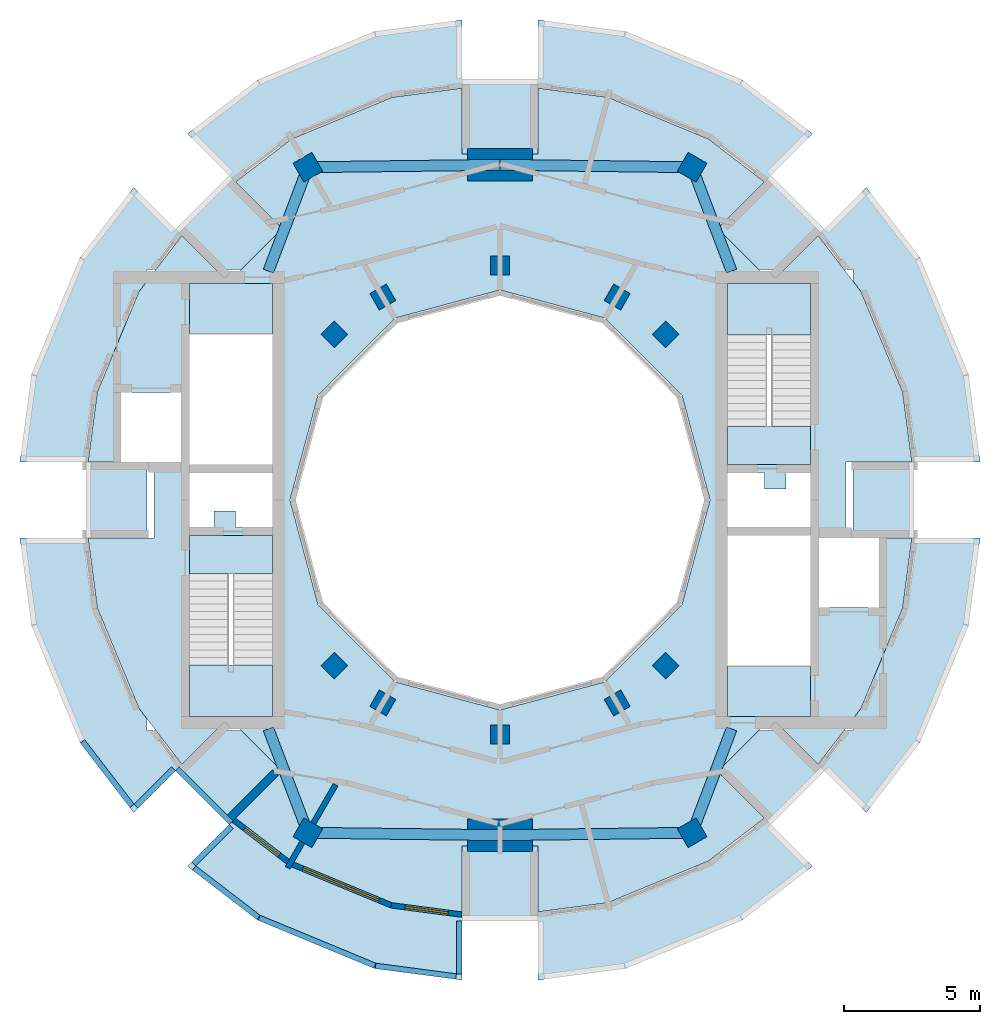
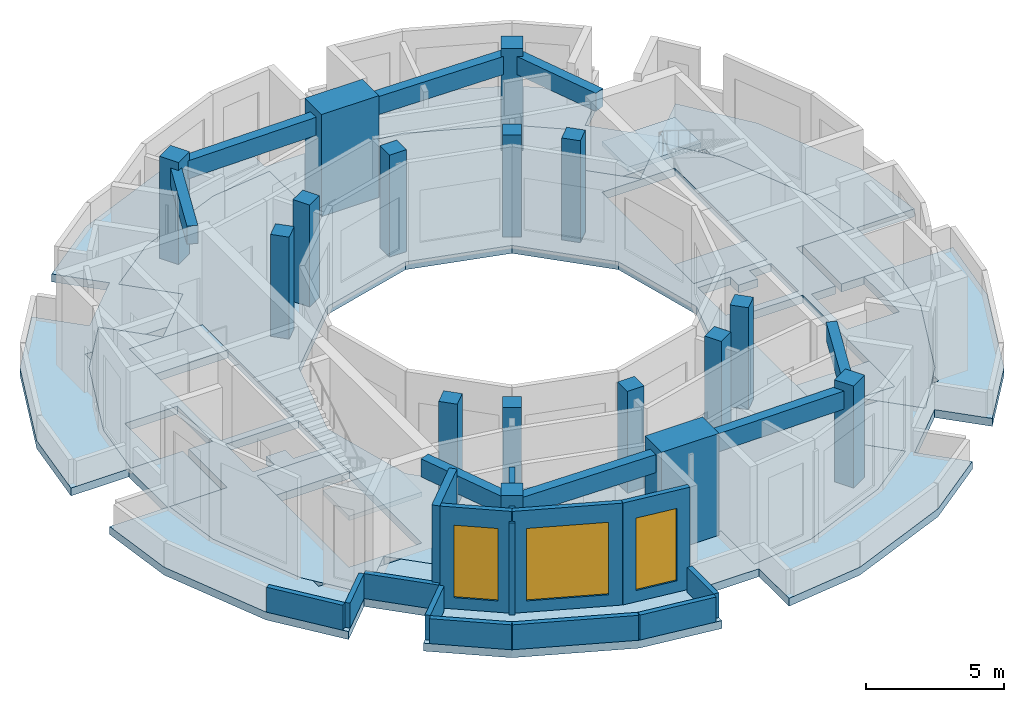
# One storey, part 1 of 7: 16 columns, 13 walls, 8 beams, 8 slabs, 3 windows, 3 openings, 2 elements without a shape of their own.
"""IFC4 building model written with IfcOpenShell, lengths in metres."""

from ifc_helpers import new_model, si_unit, direction, frame, frame_2d, origin, origin_2d, place, context, subcontext, project, spatial, polyline, rectangle, outline, extrude, material, layer, layer_set, material_profile, profile_set, type_object, element, fill, aggregate, save


model = new_model("IFC4")

# Units and contexts
model_context = context("Model", 3, precision=1e-05, world=origin(), true_north=direction((0.0, 1.0)))
body_context = subcontext(model_context, "Body", "Model", "MODEL_VIEW")
ifc_project = project(units=[si_unit("LENGTHUNIT", "METRE"), si_unit("AREAUNIT", "SQUARE_METRE"), si_unit("VOLUMEUNIT", "CUBIC_METRE"), si_unit("PLANEANGLEUNIT", "RADIAN"), si_unit("MASSUNIT", "GRAM", prefix="KILO")], contexts=[model_context])

# Site, building, storey
site_placement = place(None, origin())
site = spatial("IfcSite", under=ifc_project, at=site_placement, CompositionType="ELEMENT")
building_placement = place(site_placement, origin())
building = spatial("IfcBuilding", under=site, at=building_placement, Name="Torre Brocal", CompositionType="ELEMENT")
storey_placement = place(building_placement, frame((0.0, 0.0, 333.10009765625)))
storey = spatial("IfcBuildingStorey", under=building, at=storey_placement, Name="L76", CompositionType="ELEMENT", Elevation=333.10009765625)

# Columns
ifc_material_1 = material(Name="Concrete C50", Category="concrete")
ifc_material_profile_1 = material_profile(ifc_material_1, rectangle(XDim=1.199951171875, YDim=2.39990234375, at=origin_2d()), Name="RC 1200X2400")
ifc_profile_set_1 = profile_set([ifc_material_profile_1], Name="Concrete C50")
column_type_1 = type_object("IfcColumnType", Name="RC COLUMN 1200X2400 C50", PredefinedType="COLUMN", material=ifc_profile_set_1)
for number, where, z_axis, x_axis, name in (
    (1, (80.0, 87.300048828125, 0.0), (0.0, 0.0, 1.0), (0.0, 1.0, 0.0), "Column MCE-2"),
    (2, (80.0, 62.699951171875, 0.0), (0.0, 0.0, 1.0), (0.0, -1.0, 0.0), "Column MCE-6"),
):
    element("IfcColumn", number, at=place(storey_placement, frame(where, z_axis=z_axis, x_axis=x_axis)), inside=storey, type_object=column_type_1, Name=name, PredefinedType="COLUMN", context=body_context, shape_type="SweptSolid", body=[
        extrude(rectangle(XDim=1.199951171875, YDim=2.39990234375, at=origin_2d()), origin(), (0.0, 0.0, 1.0), 4.5),
    ])
ifc_material_2 = material(Name="Concrete C50", Category="concrete")
ifc_material_profile_2 = material_profile(ifc_material_2, rectangle(XDim=0.699951171875, YDim=0.699951171875, at=origin_2d()), Name="RC 700X700")
ifc_profile_set_2 = profile_set([ifc_material_profile_2], Name="Concrete C50")
column_type_2 = type_object("IfcColumnType", Name="RC COLUMN 700X700 C50", PredefinedType="COLUMN", material=ifc_profile_set_2)
for number, where, z_axis, x_axis, name in (
    (3, (86.0810546875, 81.0810546875, 0.0), (0.0, 0.0, 1.0), (0.707106781187, 0.707106781187, 0.0), "Column C-I03"),
    (4, (84.300048828125, 82.44775390625, 0.0), (0.0, 0.0, 1.0), (0.5, 0.866025403784, 0.0), "Column C-I04"),
    (5, (80.0, 83.60009765625, 0.0), (0.0, 0.0, 1.0), (0.0, 1.0, 0.0), "Column C-I06"),
    (6, (75.699951171875, 82.44775390625, 0.0), (0.0, 0.0, 1.0), (-0.5, 0.866025403784, 0.0), "Column C-I08"),
    (7, (73.9189453125, 81.0810546875, 0.0), (0.0, 0.0, 1.0), (-0.707106781187, 0.707106781187, 0.0), "Column C-I09"),
    (8, (73.9189453125, 68.9189453125, 0.0), (0.0, 0.0, 1.0), (-0.707106781187, -0.707106781187, 0.0), "Column C-I15"),
    (9, (75.699951171875, 67.55224609375, 0.0), (0.0, 0.0, 1.0), (-0.5, -0.866025403784, 0.0), "Column C-I16"),
    (10, (80.0, 66.39990234375, 0.0), (0.0, 0.0, 1.0), (0.0, -1.0, 0.0), "Column C-I18"),
    (11, (84.300048828125, 67.55224609375, 0.0), (0.0, 0.0, 1.0), (0.5, -0.866025403784, 0.0), "Column C-I20"),
    (12, (86.0810546875, 68.9189453125, 0.0), (0.0, 0.0, 1.0), (0.707106781187, -0.707106781187, 0.0), "Column C-I21"),
):
    element("IfcColumn", number, at=place(storey_placement, frame(where, z_axis=z_axis, x_axis=x_axis)), inside=storey, type_object=column_type_2, Name=name, PredefinedType="COLUMN", context=body_context, shape_type="SweptSolid", body=[
        extrude(rectangle(XDim=0.699951171875, YDim=0.699951171875, at=origin_2d()), origin(), (0.0, 0.0, 1.0), 4.5),
    ])
ifc_material_3 = material(Name="Concrete C50", Category="concrete")
ifc_material_profile_3 = material_profile(ifc_material_3, rectangle(XDim=0.800048828125, YDim=0.800048828125, at=origin_2d()), Name="RC 800X800")
ifc_profile_set_3 = profile_set([ifc_material_profile_3], Name="Concrete C50")
column_type_3 = type_object("IfcColumnType", Name="RC COLUMN 800X800 C50", PredefinedType="COLUMN", material=ifc_profile_set_3)
for number, where, z_axis, x_axis, name in (
    (13, (87.050048828125, 87.2109375, 0.0), (0.0, 0.0, 1.0), (0.5, 0.866025403784, 0.0), "Column C-OD04"),
    (14, (72.949951171875, 87.2109375, 0.0), (0.0, 0.0, 1.0), (-0.5, 0.866025403784, 0.0), "Column C-OD08"),
    (15, (72.949951171875, 62.7890625, 0.0), (0.0, 0.0, 1.0), (-0.5, -0.866025403784, 0.0), "Column C-OD16"),
    (16, (87.050048828125, 62.7890625, 0.0), (0.0, 0.0, 1.0), (0.5, -0.866025403784, 0.0), "Column C-OD20"),
):
    element("IfcColumn", number, at=place(storey_placement, frame(where, z_axis=z_axis, x_axis=x_axis)), inside=storey, type_object=column_type_3, Name=name, PredefinedType="COLUMN", context=body_context, shape_type="SweptSolid", body=[
        extrude(rectangle(XDim=0.800048828125, YDim=0.800048828125, at=origin_2d()), origin(), (0.0, 0.0, 1.0), 4.5),
    ])

# Beams
ifc_material_4 = material(Name="Concrete C50", Category="concrete")
ifc_material_profile_4 = material_profile(ifc_material_4, rectangle(XDim=0.39990234375, YDim=0.800048828125, at=origin_2d()), Name="RC 400X800")
ifc_profile_set_4 = profile_set([ifc_material_profile_4], Name="Concrete C50")
beam_type = type_object("IfcBeamType", Name="RC SPANDREL BEAM 400X800 C50 TOP 4150", PredefinedType="SPANDREL", material=ifc_profile_set_4)
for number, where, z_axis, x_axis, name in (
    (17, (87.050048828125, 87.2109375, 3.75), (-0.999920127082, 0.012638807576, 0.0), (-0.012638807576, -0.999920127082, 0.0), "Beam BT-53"),
    (18, (80.0, 87.300048828125, 3.75), (-0.999920127082, -0.012638807576, 0.0), (0.012638807576, -0.999920127082, 0.0), "Beam BT-53"),
):
    element("IfcBeam", number, at=place(storey_placement, frame(where, z_axis=z_axis, x_axis=x_axis)), inside=storey, type_object=beam_type, Name=name, PredefinedType="SPANDREL", context=body_context, shape_type="SweptSolid", body=[
        extrude(rectangle(XDim=0.39990234375, YDim=0.800048828125, at=origin_2d()), origin(), (0.0, 0.0, 1.0), 7.050537109375),
    ])
for number, where, z_axis, x_axis, name in (
    (19, (72.949951171875, 87.2109375, 3.75), (-0.355594432348, -0.934640358471, 0.0), (0.934640358471, -0.355594432348, 0.0), "Beam BT-53"),
    (20, (72.949951171875, 62.7890625, 3.75), (-0.355594432348, 0.934640358471, 0.0), (-0.934640358471, -0.355594432348, 0.0), "Beam BT-53"),
):
    element("IfcBeam", number, at=place(storey_placement, frame(where, z_axis=z_axis, x_axis=x_axis)), inside=storey, type_object=beam_type, Name=name, PredefinedType="SPANDREL", context=body_context, shape_type="SweptSolid", body=[
        extrude(rectangle(XDim=0.39990234375, YDim=0.800048828125, at=origin_2d()), origin(), (0.0, 0.0, 1.0), 4.07763671875),
    ])
for number, where, z_axis, x_axis, name in (
    (21, (72.949951171875, 62.7890625, 3.75), (0.999920127082, -0.012638807576, 0.0), (0.012638807576, 0.999920127082, 0.0), "Beam BT-53"),
    (22, (80.0, 62.699951171875, 3.75), (0.999920127082, 0.012638807576, 0.0), (-0.012638807576, 0.999920127082, 0.0), "Beam BT-53"),
):
    element("IfcBeam", number, at=place(storey_placement, frame(where, z_axis=z_axis, x_axis=x_axis)), inside=storey, type_object=beam_type, Name=name, PredefinedType="SPANDREL", context=body_context, shape_type="SweptSolid", body=[
        extrude(rectangle(XDim=0.39990234375, YDim=0.800048828125, at=origin_2d()), origin(), (0.0, 0.0, 1.0), 7.050537109375),
    ])
for number, where, z_axis, x_axis, name in (
    (23, (87.050048828125, 62.7890625, 3.75), (0.355594432348, 0.934640358471, 0.0), (-0.934640358471, 0.355594432348, 0.0), "Beam BT-53"),
    (24, (87.050048828125, 87.2109375, 3.75), (0.355594432348, -0.934640358471, 0.0), (0.934640358471, 0.355594432348, 0.0), "Beam BT-53"),
):
    element("IfcBeam", number, at=place(storey_placement, frame(where, z_axis=z_axis, x_axis=x_axis)), inside=storey, type_object=beam_type, Name=name, PredefinedType="SPANDREL", context=body_context, shape_type="SweptSolid", body=[
        extrude(rectangle(XDim=0.39990234375, YDim=0.800048828125, at=origin_2d()), origin(), (0.0, 0.0, 1.0), 4.07763671875),
    ])

# Stair, slab
ifc_material_5 = material(Name="Concrete C50", Category="concrete")
stair_type = type_object("IfcStairType", Name="EXIT STAIR", PredefinedType="HALF_TURN_STAIR", material=ifc_material_5)
stair_1_placement = place(storey_placement, origin())
stair_1 = element("IfcStair", 25, at=stair_1_placement, inside=storey, type_object=stair_type, Name="EXIT STAIR ST1", PredefinedType="HALF_TURN_STAIR")
ifc_material_6 = material(Name="Concrete C50", Category="concrete")
ifc_layer_1 = layer(ifc_material_6, 0.35009765625)
ifc_layer_set_1 = layer_set([ifc_layer_1], Name="Concrete C50")
slab_type_1 = type_object("IfcSlabType", Name="FLOOR LANDING 350", PredefinedType="LANDING", material=ifc_layer_set_1)
slab_1_placement = place(storey_placement, frame((0.0, 0.0, -0.35009765625)))
slab_1 = element("IfcSlab", 26, at=slab_1_placement, type_object=slab_type_1, Name="ST1 landing 1", PredefinedType="LANDING", context=body_context, shape_type="SweptSolid", body=[
    extrude(outline(polyline([(88.35009765625, 76.300048828125), (91.39990234375, 76.300048828125), (91.39990234375, 77.699951171875), (88.35009765625, 77.699951171875), (88.35009765625, 76.300048828125)])), origin(), (0.0, 0.0, 1.0), 0.35009765625),
])

# Slab
slab_2_placement = place(storey_placement, frame((0.0, 0.0, -0.35009765625)))
element("IfcSlab", 27, at=slab_2_placement, inside=storey, type_object=slab_type_1, Name="Slab ST2.L1", PredefinedType="LANDING", context=body_context, shape_type="SweptSolid", body=[
    extrude(outline(polyline([(88.35009765625, 67.050048828125), (91.39990234375, 67.050048828125), (91.39990234375, 68.89990234375), (88.35009765625, 68.89990234375), (88.35009765625, 67.050048828125)])), origin(), (0.0, 0.0, 1.0), 0.35009765625),
])

# Stair, slab
stair_2_placement = place(storey_placement, origin())
stair_2 = element("IfcStair", 28, at=stair_2_placement, inside=storey, type_object=stair_type, Name="EXIT STAIR ST3", PredefinedType="HALF_TURN_STAIR")
slab_3_placement = place(storey_placement, frame((0.0, 0.0, -0.35009765625)))
slab_3 = element("IfcSlab", 29, at=slab_3_placement, type_object=slab_type_1, Name="ST3 landing 1", PredefinedType="LANDING", context=body_context, shape_type="SweptSolid", body=[
    extrude(outline(polyline([(71.64990234375, 73.699951171875), (68.60009765625, 73.699951171875), (68.60009765625, 72.300048828125), (71.64990234375, 72.300048828125), (71.64990234375, 73.699951171875)])), origin(), (0.0, 0.0, 1.0), 0.35009765625),
])

# Slab
slab_4_placement = place(storey_placement, frame((0.0, 0.0, -0.35009765625)))
element("IfcSlab", 30, at=slab_4_placement, inside=storey, type_object=slab_type_1, Name="Slab ST4.L1", PredefinedType="LANDING", context=body_context, shape_type="SweptSolid", body=[
    extrude(outline(polyline([(71.64990234375, 82.949951171875), (68.60009765625, 82.949951171875), (68.60009765625, 81.10009765625), (71.64990234375, 81.10009765625), (71.64990234375, 82.949951171875)])), origin(), (0.0, 0.0, 1.0), 0.35009765625),
])

ifc_material_7 = material(Name="Concrete C50", Category="concrete")
ifc_layer_2 = layer(ifc_material_7, 0.199951171875)
ifc_layer_set_2 = layer_set([ifc_layer_2], Name="Concrete C50")
slab_type_2 = type_object("IfcSlabType", Name="MID LANDING +2250", PredefinedType="LANDING", material=ifc_layer_set_2)
slab_5_placement = place(storey_placement, frame((0.0, 0.0, 2.0498046875)))
slab_5 = element("IfcSlab", 31, at=slab_5_placement, type_object=slab_type_2, Name="ST1 landing 2", PredefinedType="LANDING", context=body_context, shape_type="SweptSolid", body=[
    extrude(outline(polyline([(88.35009765625, 81.06005859375), (91.39990234375, 81.06005859375), (91.39990234375, 82.949951171875), (88.35009765625, 82.949951171875), (88.35009765625, 81.06005859375)])), origin(), (0.0, 0.0, 1.0), 0.2001953125),
])

aggregate(stair_1, [slab_1, slab_5])

slab_6_placement = place(storey_placement, frame((0.0, 0.0, 2.0498046875)))
slab_6 = element("IfcSlab", 32, at=slab_6_placement, type_object=slab_type_2, Name="ST3 landing 2", PredefinedType="LANDING", context=body_context, shape_type="SweptSolid", body=[
    extrude(outline(polyline([(71.64990234375, 68.93994140625), (68.60009765625, 68.93994140625), (68.60009765625, 67.050048828125), (71.64990234375, 67.050048828125), (71.64990234375, 68.93994140625)])), origin(), (0.0, 0.0, 1.0), 0.2001953125),
])

aggregate(stair_2, [slab_3, slab_6])

# Slabs
ifc_material_8 = material(Name="Concrete C45", Category="concrete")
ifc_layer_3 = layer(ifc_material_8, 0.35009765625)
ifc_layer_set_3 = layer_set([ifc_layer_3], Name="Concrete C45")
slab_type_3 = type_object("IfcSlabType", Name="PT FLOOR SLAB 350 C45", PredefinedType="FLOOR", material=ifc_layer_set_3)
slab_7_placement = place(storey_placement, frame((0.0, 0.0, -0.35009765625)))
element("IfcSlab", 33, at=slab_7_placement, inside=storey, type_object=slab_type_3, Name="Slab ST-11", PredefinedType="FLOOR", context=body_context, shape_type="SweptSolid", body=[
    extrude(outline(polyline([(92.699951171875, 76.39990234375), (92.699951171875, 73.60009765625), (91.699951171875, 73.60009765625), (91.699951171875, 71.050048828125), (93.89990234375, 71.050048828125), (93.89990234375, 73.60009765625), (95.114013671875, 73.60009765625), (94.777099609375, 71.04052734375), (93.248779296875, 67.350830078125), (91.67724609375, 65.302734375), (89.97021484375, 67.009765625), (87.990234375, 65.02978515625), (89.697265625, 63.32275390625), (87.649169921875, 61.751220703125), (83.95947265625, 60.222900390625), (81.39990234375, 59.885986328125), (81.39990234375, 62.300048828125), (78.60009765625, 62.300048828125), (78.60009765625, 59.885986328125), (76.04052734375, 60.222900390625), (72.350830078125, 61.751220703125), (70.302734375, 63.32275390625), (72.009765625, 65.02978515625), (70.02978515625, 67.009765625), (68.32275390625, 65.302734375), (66.751220703125, 67.350830078125), (65.222900390625, 71.04052734375), (64.885986328125, 73.60009765625), (67.300048828125, 73.60009765625), (67.300048828125, 76.39990234375), (68.300048828125, 76.39990234375), (68.300048828125, 78.949951171875), (66.10009765625, 78.949951171875), (66.10009765625, 76.39990234375), (64.885986328125, 76.39990234375), (65.222900390625, 78.95947265625), (66.751220703125, 82.649169921875), (68.32275390625, 84.697265625), (70.02978515625, 82.990234375), (72.009765625, 84.97021484375), (70.302734375, 86.67724609375), (72.350830078125, 88.248779296875), (76.04052734375, 89.777099609375), (78.60009765625, 90.114013671875), (78.60009765625, 87.699951171875), (81.39990234375, 87.699951171875), (81.39990234375, 90.114013671875), (83.95947265625, 89.777099609375), (87.649169921875, 88.248779296875), (89.697265625, 86.67724609375), (87.990234375, 84.97021484375), (89.97021484375, 82.990234375), (91.67724609375, 84.697265625), (93.248779296875, 82.649169921875), (94.777099609375, 78.95947265625), (95.114013671875, 76.39990234375), (92.699951171875, 76.39990234375)]), holes=[polyline([(88.35009765625, 76.0), (88.35009765625, 74.0), (91.39990234375, 74.0), (91.39990234375, 76.0), (90.5, 76.0), (90.5, 75.39990234375), (89.699951171875, 75.39990234375), (89.699951171875, 76.0), (88.35009765625, 76.0)]), polyline([(88.35009765625, 73.699951171875), (88.35009765625, 67.050048828125), (91.39990234375, 67.050048828125), (91.39990234375, 73.699951171875), (88.35009765625, 73.699951171875)]), polyline([(88.35009765625, 82.949951171875), (88.35009765625, 76.300048828125), (91.39990234375, 76.300048828125), (91.39990234375, 82.949951171875), (88.35009765625, 82.949951171875)]), polyline([(80.0, 82.70703125), (76.146484375, 81.674560546875), (73.325439453125, 78.853515625), (72.29296875, 75.0), (73.325439453125, 71.146484375), (76.146484375, 68.325439453125), (80.0, 67.29296875), (83.853515625, 68.325439453125), (86.674560546875, 71.146484375), (87.70703125, 75.0), (86.674560546875, 78.853515625), (83.853515625, 81.674560546875), (80.0, 82.70703125)]), polyline([(71.64990234375, 67.050048828125), (71.64990234375, 73.699951171875), (68.60009765625, 73.699951171875), (68.60009765625, 67.050048828125), (71.64990234375, 67.050048828125)]), polyline([(71.64990234375, 76.300048828125), (71.64990234375, 82.949951171875), (68.60009765625, 82.949951171875), (68.60009765625, 76.300048828125), (71.64990234375, 76.300048828125)]), polyline([(71.64990234375, 74.0), (71.64990234375, 76.0), (68.60009765625, 76.0), (68.60009765625, 74.0), (69.5, 74.0), (69.5, 74.60009765625), (70.300048828125, 74.60009765625), (70.300048828125, 74.0), (71.64990234375, 74.0)])]), origin(), (0.0, 0.0, 1.0), 0.35009765625),
])
ifc_material_9 = material(Name="Concrete C45", Category="concrete")
ifc_layer_4 = layer(ifc_material_9, 0.35009765625)
ifc_layer_set_4 = layer_set([ifc_layer_4], Name="Concrete C45")
slab_type_4 = type_object("IfcSlabType", Name="PT TERRACE SLAB 350 C45", PredefinedType="ROOF", material=ifc_layer_set_4)
slab_8_placement = place(storey_placement, frame((0.0, 0.0, -0.35009765625)))
element("IfcSlab", 34, at=slab_8_placement, inside=storey, type_object=slab_type_4, Name="Slab ST-13", PredefinedType="ROOF", context=body_context, shape_type="SweptSolid", body=[
    extrude(outline(polyline([(95.199951171875, 76.39990234375), (95.199951171875, 73.60009765625), (97.614013671875, 73.60009765625), (97.19189453125, 70.3935546875), (95.413818359375, 66.100830078125), (93.44482421875, 63.534912109375), (91.914794921875, 65.065185546875), (89.934814453125, 63.085205078125), (91.465087890625, 61.55517578125), (88.899169921875, 59.586181640625), (84.6064453125, 57.80810546875), (81.39990234375, 57.385986328125), (81.39990234375, 59.550048828125), (78.60009765625, 59.550048828125), (78.60009765625, 57.385986328125), (75.3935546875, 57.80810546875), (71.100830078125, 59.586181640625), (68.534912109375, 61.55517578125), (70.065185546875, 63.085205078125), (68.085205078125, 65.065185546875), (66.55517578125, 63.534912109375), (64.586181640625, 66.100830078125), (62.80810546875, 70.3935546875), (62.385986328125, 73.60009765625), (64.800048828125, 73.60009765625), (64.800048828125, 76.39990234375), (62.385986328125, 76.39990234375), (62.80810546875, 79.6064453125), (64.586181640625, 83.899169921875), (66.55517578125, 86.465087890625), (68.085205078125, 84.934814453125), (70.065185546875, 86.914794921875), (68.534912109375, 88.44482421875), (71.100830078125, 90.413818359375), (75.3935546875, 92.19189453125), (78.60009765625, 92.614013671875), (78.60009765625, 90.449951171875), (81.39990234375, 90.449951171875), (81.39990234375, 92.614013671875), (84.6064453125, 92.19189453125), (88.899169921875, 90.413818359375), (91.465087890625, 88.44482421875), (89.934814453125, 86.914794921875), (91.914794921875, 84.934814453125), (93.44482421875, 86.465087890625), (95.413818359375, 83.899169921875), (97.19189453125, 79.6064453125), (97.614013671875, 76.39990234375), (95.199951171875, 76.39990234375)]), holes=[polyline([(89.510498046875, 83.449951171875), (87.990234375, 84.97021484375), (89.697265625, 86.67724609375), (87.649169921875, 88.248779296875), (83.95947265625, 89.777099609375), (81.39990234375, 90.114013671875), (81.39990234375, 87.699951171875), (78.60009765625, 87.699951171875), (78.60009765625, 90.114013671875), (76.04052734375, 89.777099609375), (72.350830078125, 88.248779296875), (70.302734375, 86.67724609375), (72.009765625, 84.97021484375), (70.489501953125, 83.449951171875), (69.570068359375, 83.449951171875), (68.32275390625, 84.697265625), (67.36572265625, 83.449951171875), (67.050048828125, 83.449951171875), (67.050048828125, 83.038330078125), (66.751220703125, 82.649169921875), (65.222900390625, 78.95947265625), (64.885986328125, 76.39990234375), (67.050048828125, 76.39990234375), (67.050048828125, 73.60009765625), (64.885986328125, 73.60009765625), (65.222900390625, 71.04052734375), (66.751220703125, 67.350830078125), (67.050048828125, 66.961669921875), (67.050048828125, 66.550048828125), (67.36572265625, 66.550048828125), (68.32275390625, 65.302734375), (69.570068359375, 66.550048828125), (70.489501953125, 66.550048828125), (72.009765625, 65.02978515625), (70.302734375, 63.32275390625), (72.350830078125, 61.751220703125), (76.04052734375, 60.222900390625), (78.60009765625, 59.885986328125), (78.60009765625, 62.300048828125), (81.39990234375, 62.300048828125), (81.39990234375, 59.885986328125), (83.95947265625, 60.222900390625), (87.649169921875, 61.751220703125), (89.697265625, 63.32275390625), (87.990234375, 65.02978515625), (89.510498046875, 66.550048828125), (90.429931640625, 66.550048828125), (91.67724609375, 65.302734375), (92.63427734375, 66.550048828125), (92.949951171875, 66.550048828125), (92.949951171875, 66.961669921875), (93.248779296875, 67.350830078125), (94.777099609375, 71.04052734375), (95.114013671875, 73.60009765625), (92.949951171875, 73.60009765625), (92.949951171875, 76.39990234375), (95.114013671875, 76.39990234375), (94.777099609375, 78.95947265625), (93.248779296875, 82.649169921875), (92.949951171875, 83.038330078125), (92.949951171875, 83.449951171875), (92.63427734375, 83.449951171875), (91.67724609375, 84.697265625), (90.429931640625, 83.449951171875), (89.510498046875, 83.449951171875)])]), origin(), (0.0, 0.0, 1.0), 0.35009765625),
])

# Wall, opening, window
ifc_material_10 = material(Name="Concrete C40", Category="concrete")
ifc_layer_5 = layer(ifc_material_10, 0.199951171875)
ifc_layer_set_5 = layer_set([ifc_layer_5], Name="Concrete C40")
wall_type_1 = type_object("IfcWallType", Name="LOUVRED PLANT WALL 200", PredefinedType="NOTDEFINED", material=ifc_layer_set_5)
wall_1_placement = place(storey_placement, frame((70.2314453125, 63.25146484375, 0.0), z_axis=(0.0, 0.0, 1.0), x_axis=(0.793402901715, -0.608696833859, 0.0)))
wall_1 = element("IfcWall", 35, at=wall_1_placement, inside=storey, type_object=wall_type_1, Name="LOUVRED PLANT WALL", PredefinedType="NOTDEFINED", context=body_context, shape_type="SweptSolid", body=[
    extrude(rectangle(XDim=2.60791015625, YDim=0.199951171875, at=frame_2d((1.303955078125, 0.0))), origin(), (0.0, 0.0, 1.0), 4.5),
])
opening_1_placement = place(wall_1_placement, frame((0.50390625, 0.0, 0.5)))
opening_1 = element("IfcOpeningElement", 36, at=opening_1_placement, cuts=wall_1, Name="Opening LV-1600-3200", PredefinedType="OPENING", context=body_context, shape_type="SweptSolid", body=[
    extrude(rectangle(XDim=1.60009765625, YDim=3.199951171875, at=frame_2d((0.800048828125, 1.60009765625))), frame((0.0, 0.10986328125, 0.0), z_axis=(0.0, -1.0, 0.0), x_axis=(1.0, 0.0, 0.0)), (0.0, 0.0, 1.0), 0.219970703125),
])
ifc_material_11 = material(Name="Aluminium louvre", Category="aluminium")
window_type_1 = type_object("IfcWindowType", Name="LOUVRE PANEL 1600X3200", PartitioningType="SINGLE_PANEL", PredefinedType="USERDEFINED", material=ifc_material_11)
window_1_placement = place(opening_1_placement, origin())
window_1 = element("IfcWindow", 37, at=window_1_placement, inside=storey, type_object=window_type_1, Name="LOUVRE PANEL 1600X3200", ObjectType="LOUVRE", OverallHeight=3.199951171875, OverallWidth=1.60009765625, PartitioningType="SINGLE_PANEL", PredefinedType="USERDEFINED", context=body_context, shape_type="SweptSolid", body=[
    extrude(rectangle(XDim=1.60009765625, YDim=3.199951171875, at=frame_2d((0.800048828125, 1.60009765625))), frame((0.0, 0.030029296875, 0.0), z_axis=(0.0, -1.0, 0.0), x_axis=(1.0, 0.0, 0.0)), (0.0, 0.0, 1.0), 0.06005859375),
])
fill(opening_1, window_1)

wall_2_placement = place(storey_placement, frame((72.300537109375, 61.6640625, 0.0), z_axis=(0.0, 0.0, 1.0), x_axis=(0.923858417842, -0.38273440371, 0.0)))
wall_2 = element("IfcWall", 38, at=wall_2_placement, inside=storey, type_object=wall_type_1, Name="LOUVRED PLANT WALL", PredefinedType="NOTDEFINED", context=body_context, shape_type="SweptSolid", body=[
    extrude(rectangle(XDim=4.02001953125, YDim=0.199951171875, at=frame_2d((2.010009765625, 0.0))), origin(), (0.0, 0.0, 1.0), 4.5),
])
opening_2_placement = place(wall_2_placement, frame((0.510009765625, 0.0, 0.5)))
opening_2 = element("IfcOpeningElement", 39, at=opening_2_placement, cuts=wall_2, Name="Opening LV-3000-3200", PredefinedType="OPENING", context=body_context, shape_type="SweptSolid", body=[
    extrude(rectangle(XDim=3.0, YDim=3.199951171875, at=frame_2d((1.5, 1.60009765625))), frame((0.0, 0.10986328125, 0.0), z_axis=(0.0, -1.0, 0.0), x_axis=(1.0, 0.0, 0.0)), (0.0, 0.0, 1.0), 0.219970703125),
])
ifc_material_12 = material(Name="Aluminium louvre", Category="aluminium")
window_type_2 = type_object("IfcWindowType", Name="LOUVRE PANEL 3000X3200", PartitioningType="SINGLE_PANEL", PredefinedType="USERDEFINED", material=ifc_material_12)
window_2_placement = place(opening_2_placement, origin())
window_2 = element("IfcWindow", 40, at=window_2_placement, inside=storey, type_object=window_type_2, Name="LOUVRE PANEL 3000X3200", ObjectType="LOUVRE", OverallHeight=3.199951171875, OverallWidth=3.0, PartitioningType="SINGLE_PANEL", PredefinedType="USERDEFINED", context=body_context, shape_type="SweptSolid", body=[
    extrude(rectangle(XDim=3.0, YDim=3.199951171875, at=frame_2d((1.5, 1.60009765625))), frame((0.0, 0.030029296875, 0.0), z_axis=(0.0, -1.0, 0.0), x_axis=(1.0, 0.0, 0.0)), (0.0, 0.0, 1.0), 0.06005859375),
])
fill(opening_2, window_2)

wall_3_placement = place(storey_placement, frame((76.014404296875, 60.12548828125, 0.0), z_axis=(0.0, 0.0, 1.0), x_axis=(0.991448878041, -0.130495678972, 0.0)))
wall_3 = element("IfcWall", 41, at=wall_3_placement, inside=storey, type_object=wall_type_1, Name="LOUVRED PLANT WALL", PredefinedType="NOTDEFINED", context=body_context, shape_type="SweptSolid", body=[
    extrude(rectangle(XDim=2.60791015625, YDim=0.199951171875, at=frame_2d((1.303955078125, 0.0))), origin(), (0.0, 0.0, 1.0), 4.5),
])
opening_3_placement = place(wall_3_placement, frame((0.50390625, 0.0, 0.5)))
opening_3 = element("IfcOpeningElement", 42, at=opening_3_placement, cuts=wall_3, Name="Opening LV-1600-3200", PredefinedType="OPENING", context=body_context, shape_type="SweptSolid", body=[
    extrude(rectangle(XDim=1.60009765625, YDim=3.199951171875, at=frame_2d((0.800048828125, 1.60009765625))), frame((0.0, 0.10986328125, 0.0), z_axis=(0.0, -1.0, 0.0), x_axis=(1.0, 0.0, 0.0)), (0.0, 0.0, 1.0), 0.219970703125),
])
window_3_placement = place(opening_3_placement, origin())
window_3 = element("IfcWindow", 43, at=window_3_placement, inside=storey, type_object=window_type_1, Name="LOUVRE PANEL 1600X3200", ObjectType="LOUVRE", OverallHeight=3.199951171875, OverallWidth=1.60009765625, PartitioningType="SINGLE_PANEL", PredefinedType="USERDEFINED", context=body_context, shape_type="SweptSolid", body=[
    extrude(rectangle(XDim=1.60009765625, YDim=3.199951171875, at=frame_2d((0.800048828125, 1.60009765625))), frame((0.0, 0.030029296875, 0.0), z_axis=(0.0, -1.0, 0.0), x_axis=(1.0, 0.0, 0.0)), (0.0, 0.0, 1.0), 0.06005859375),
])
fill(opening_3, window_3)

# Walls
ifc_material_13 = material(Name="Concrete C50", Category="concrete")
ifc_layer_6 = layer(ifc_material_13, 0.300048828125)
ifc_layer_set_6 = layer_set([ifc_layer_6], Name="Concrete C50")
wall_type_2 = type_object("IfcWallType", Name="NOTCH RETURN WALL 300 C50", PredefinedType="NOTDEFINED", material=ifc_layer_set_6)
wall_4_placement = place(storey_placement, frame((71.76220703125, 64.994384765625, 0.0), z_axis=(0.0, 0.0, 1.0), x_axis=(-0.707157312274, -0.707056246487, 0.0)))
element("IfcWall", 44, at=wall_4_placement, inside=storey, type_object=wall_type_2, Name="NOTCH RETURN WALL", PredefinedType="NOTDEFINED", context=body_context, shape_type="SweptSolid", body=[
    extrude(rectangle(XDim=2.415771484375, YDim=0.300048828125, at=frame_2d((1.2080078125, 0.0))), origin(), (0.0, 0.0, 1.0), 4.5),
])
ifc_material_14 = material(Name="Concrete C40", Category="concrete")
ifc_layer_7 = layer(ifc_material_14, 0.199951171875)
ifc_layer_set_7 = layer_set([ifc_layer_7], Name="Concrete C40")
wall_type_3 = type_object("IfcWallType", Name="PARAPET WALL 200 THICK 1100 HIGH 8", PredefinedType="PARAPET", material=ifc_layer_set_7)
wall_5_placement = place(storey_placement, frame((78.5, 59.550048828125, 0.0), z_axis=(0.0, 0.0, 1.0), x_axis=(0.0, -1.0, 0.0)))
element("IfcWall", 45, at=wall_5_placement, inside=storey, type_object=wall_type_3, Name="PARAPET WALL 17", PredefinedType="PARAPET", context=body_context, shape_type="SweptSolid", body=[
    extrude(rectangle(XDim=1.93603515625, YDim=0.199951171875, at=frame_2d((0.968017578125, 0.0))), origin(), (0.0, 0.0, 1.0), 1.099853515625),
])
wall_6_placement = place(storey_placement, frame((78.386962890625, 57.514892578125, 0.0), z_axis=(0.0, 0.0, 1.0), x_axis=(-0.991446206513, 0.130515974463, 0.0)))
element("IfcWall", 46, at=wall_6_placement, inside=storey, type_object=wall_type_3, Name="PARAPET WALL 18", PredefinedType="PARAPET", context=body_context, shape_type="SweptSolid", body=[
    extrude(rectangle(XDim=2.979736328125, YDim=0.199951171875, at=frame_2d((1.48974609375, 0.0))), origin(), (0.0, 0.0, 1.0), 1.099853515625),
])
wall_7_placement = place(storey_placement, frame((75.407470703125, 57.91064453125, 0.0), z_axis=(0.0, 0.0, 1.0), x_axis=(-0.923884687805, 0.382670986147, 0.0)))
element("IfcWall", 47, at=wall_7_placement, inside=storey, type_object=wall_type_3, Name="PARAPET WALL 19", PredefinedType="PARAPET", context=body_context, shape_type="SweptSolid", body=[
    extrude(rectangle(XDim=4.593505859375, YDim=0.199951171875, at=frame_2d((2.296875, 0.0))), origin(), (0.0, 0.0, 1.0), 1.099853515625),
])
wall_8_placement = place(storey_placement, frame((71.140869140625, 59.681640625, 0.0), z_axis=(0.0, 0.0, 1.0), x_axis=(-0.79335441758, 0.608760025056, 0.0)))
element("IfcWall", 48, at=wall_8_placement, inside=storey, type_object=wall_type_3, Name="PARAPET WALL 20", PredefinedType="PARAPET", context=body_context, shape_type="SweptSolid", body=[
    extrude(rectangle(XDim=2.979736328125, YDim=0.199951171875, at=frame_2d((1.48974609375, 0.0))), origin(), (0.0, 0.0, 1.0), 1.099853515625),
])
wall_9_placement = place(storey_placement, frame((68.76708984375, 61.645751953125, 0.0), z_axis=(0.0, 0.0, 1.0), x_axis=(0.707043717037, 0.707169839712, 0.0)))
element("IfcWall", 49, at=wall_9_placement, inside=storey, type_object=wall_type_3, Name="PARAPET WALL 21", PredefinedType="PARAPET", context=body_context, shape_type="SweptSolid", body=[
    extrude(rectangle(XDim=1.935791015625, YDim=0.199951171875, at=frame_2d((0.9677734375, 0.0))), origin(), (0.0, 0.0, 1.0), 1.099853515625),
])
wall_10_placement = place(storey_placement, frame((70.1357421875, 63.156005859375, 0.0), z_axis=(0.0, 0.0, 1.0), x_axis=(-0.707106781187, 0.707106781187, 0.0)))
element("IfcWall", 50, at=wall_10_placement, inside=storey, type_object=wall_type_3, Name="PARAPET WALL 22", PredefinedType="PARAPET", context=body_context, shape_type="SweptSolid", body=[
    extrude(rectangle(XDim=2.7998046875, YDim=0.199951171875, at=frame_2d((1.39990234375, 0.0))), origin(), (0.0, 0.0, 1.0), 1.099853515625),
])
wall_11_placement = place(storey_placement, frame((68.0146484375, 65.1357421875, 0.0), z_axis=(0.0, 0.0, 1.0), x_axis=(-0.707169839712, -0.707043717037, 0.0)))
element("IfcWall", 51, at=wall_11_placement, inside=storey, type_object=wall_type_3, Name="PARAPET WALL 23", PredefinedType="PARAPET", context=body_context, shape_type="SweptSolid", body=[
    extrude(rectangle(XDim=1.935791015625, YDim=0.199951171875, at=frame_2d((0.9677734375, 0.0))), origin(), (0.0, 0.0, 1.0), 1.099853515625),
])
wall_12_placement = place(storey_placement, frame((66.49560546875, 63.77685546875, 0.0), z_axis=(0.0, 0.0, 1.0), x_axis=(-0.608760025056, 0.79335441758, 0.0)))
element("IfcWall", 52, at=wall_12_placement, inside=storey, type_object=wall_type_3, Name="PARAPET WALL 24", PredefinedType="PARAPET", context=body_context, shape_type="SweptSolid", body=[
    extrude(rectangle(XDim=2.979736328125, YDim=0.199951171875, at=frame_2d((1.48974609375, 0.0))), origin(), (0.0, 0.0, 1.0), 1.099853515625),
])
ifc_material_15 = material(Name="Masonry block", Category="masonry")
ifc_layer_8 = layer(ifc_material_15, 0.199951171875)
ifc_layer_set_8 = layer_set([ifc_layer_8], Name="Masonry block")
wall_type_4 = type_object("IfcWallType", Name="PARTITION 200 EI120", PredefinedType="PARTITIONING", material=ifc_layer_set_8)
wall_13_placement = place(storey_placement, frame((72.205810546875, 61.500732421875, 0.0), z_axis=(0.0, 0.0, 1.0), x_axis=(0.500038497407, 0.866003176155, 0.0)))
element("IfcWall", 53, at=wall_13_placement, inside=storey, type_object=wall_type_4, Name="PLANT ROOM WALL", PredefinedType="PARTITIONING", context=body_context, shape_type="SweptSolid", body=[
    extrude(rectangle(XDim=3.521728515625, YDim=0.199951171875, at=frame_2d((1.7607421875, 0.0))), origin(), (0.0, 0.0, 1.0), 4.0498046875),
])

save(model, "model.ifc")
